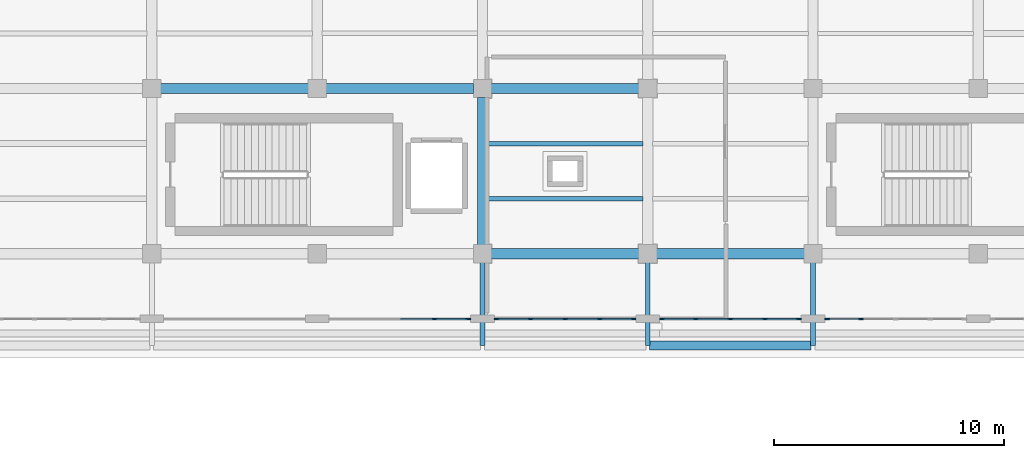
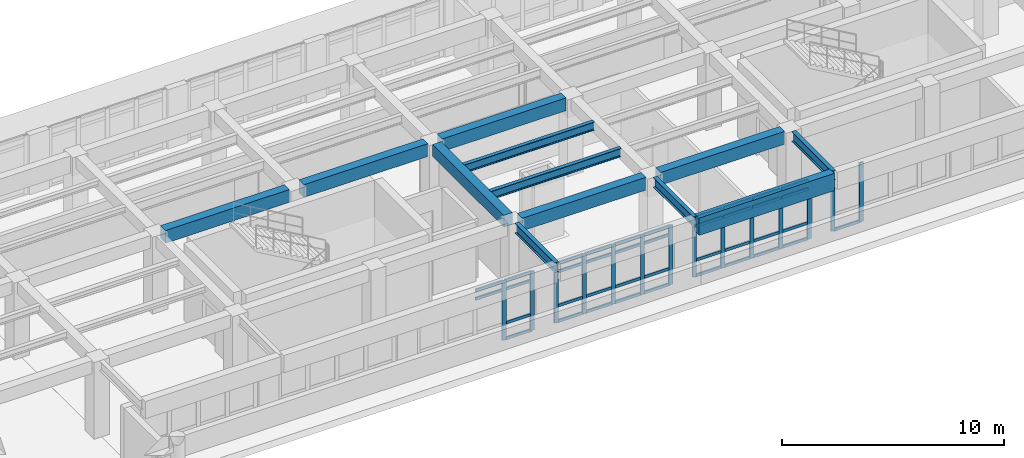
# One storey, part 6 of 67: 53 members, 12 beams, 4 elements without a shape of their own.
"""IFC4 building model written with IfcOpenShell, lengths in metres."""

from ifc_helpers import new_model, si_unit, direction, frame, origin, origin_2d, place, context, subcontext, project, spatial, rectangle, i_section, extrude, material, layer, layer_set, material_profile, profile_set, type_object, element, aggregate, save


model = new_model("IFC4")

# Units and contexts
model_context = context("Model", 3, precision=1e-05, world=origin(), true_north=direction((0.0, 1.0)))
body_context = subcontext(model_context, "Body", "Model", "MODEL_VIEW")
ifc_project = project(units=[si_unit("LENGTHUNIT", "METRE"), si_unit("AREAUNIT", "SQUARE_METRE"), si_unit("VOLUMEUNIT", "CUBIC_METRE"), si_unit("PLANEANGLEUNIT", "RADIAN"), si_unit("MASSUNIT", "GRAM", prefix="KILO")], contexts=[model_context])

# Site, building, storey
site_placement = place(None, origin())
site = spatial("IfcSite", under=ifc_project, at=site_placement, CompositionType="ELEMENT")
building_placement = place(site_placement, origin())
building = spatial("IfcBuilding", under=site, at=building_placement, Name="Solenvale Faculty of Natural Sciences", CompositionType="ELEMENT")
storey_placement = place(building_placement, frame((0.0, 0.0, 13.5)))
storey = spatial("IfcBuildingStorey", under=building, at=storey_placement, Name="L03", CompositionType="ELEMENT", Elevation=13.5)

# Beams
ifc_material_1 = material(Name="Concrete 40 MPa", Category="concrete")
ifc_material_profile_1 = material_profile(ifc_material_1, rectangle(XDim=0.449951171875, YDim=0.64990234375, at=origin_2d()), Name="RC-BM-450x650")
ifc_profile_set_1 = profile_set([ifc_material_profile_1], Name="Concrete 40 MPa")
beam_type_1 = type_object("IfcBeamType", Name="BM-RC-450x650", PredefinedType="BEAM", material=ifc_profile_set_1)
beam_1_placement = place(storey_placement, frame((79.199951171875, 21.97998046875, 3.89501953125), z_axis=(0.0, 1.0, 0.0), x_axis=(-1.0, 0.0, 0.0)))
element("IfcBeam", 1, at=beam_1_placement, inside=storey, type_object=beam_type_1, Name="L03 Y-Girder X79.2 (21.6..28.8)", PredefinedType="BEAM", context=body_context, shape_type="SweptSolid", body=[
    extrude(rectangle(XDim=0.449951171875, YDim=0.64990234375, at=origin_2d()), origin(), (0.0, 0.0, 1.0), 6.43994140625),
])
ifc_material_profile_2 = material_profile(ifc_material_1, rectangle(XDim=0.449951171875, YDim=0.699951171875, at=origin_2d()), Name="RC-BM-450x700")
ifc_profile_set_2 = profile_set([ifc_material_profile_2], Name="Concrete 40 MPa")
beam_type_2 = type_object("IfcBeamType", Name="BM-RC-450x700", PredefinedType="BEAM", material=ifc_profile_set_2)
for number, where, z_axis, x_axis, name in (
    (2, (79.580078125, 21.60009765625, 3.8701171875), (1.0, 0.0, 0.0), (0.0, 1.0, 0.0), "L03 X-Girder Y21.6 (79.2..86.4)"),
    (3, (86.780029296875, 21.60009765625, 3.8701171875), (1.0, 0.0, 0.0), (0.0, 1.0, 0.0), "L03 X-Girder Y21.6 (86.4..93.6)"),
):
    element("IfcBeam", number, at=place(storey_placement, frame(where, z_axis=z_axis, x_axis=x_axis)), inside=storey, type_object=beam_type_2, Name=name, PredefinedType="BEAM", context=body_context, shape_type="SweptSolid", body=[
        extrude(rectangle(XDim=0.449951171875, YDim=0.699951171875, at=origin_2d()), origin(), (0.0, 0.0, 1.0), 6.43994140625),
    ])
for number, where, z_axis, x_axis, name in (
    (4, (65.179931640625, 28.800048828125, 3.8701171875), (1.0, 0.0, 0.0), (0.0, 1.0, 0.0), "L03 X-Girder Y28.8 (64.8..72.0)"),
    (5, (72.3798828125, 28.800048828125, 3.8701171875), (1.0, 0.0, 0.0), (0.0, 1.0, 0.0), "L03 X-Girder Y28.8 (72.0..79.2)"),
):
    element("IfcBeam", number, at=place(storey_placement, frame(where, z_axis=z_axis, x_axis=x_axis)), inside=storey, type_object=beam_type_2, Name=name, PredefinedType="BEAM", context=body_context, shape_type="SweptSolid", body=[
        extrude(rectangle(XDim=0.449951171875, YDim=0.699951171875, at=origin_2d()), origin(), (0.0, 0.0, 1.0), 6.440185546875),
    ])
beam_2_placement = place(storey_placement, frame((79.580078125, 28.800048828125, 3.8701171875), z_axis=(1.0, 0.0, 0.0), x_axis=(0.0, 1.0, 0.0)))
element("IfcBeam", 6, at=beam_2_placement, inside=storey, type_object=beam_type_2, Name="L03 X-Girder Y28.8 (79.2..86.4)", PredefinedType="BEAM", context=body_context, shape_type="SweptSolid", body=[
    extrude(rectangle(XDim=0.449951171875, YDim=0.699951171875, at=origin_2d()), origin(), (0.0, 0.0, 1.0), 6.43994140625),
])
ifc_material_2 = material(Name="Architectural bronze concrete 40 MPa", Category="concrete")
ifc_material_profile_3 = material_profile(ifc_material_2, rectangle(XDim=0.39990234375, YDim=0.949951171875, at=origin_2d()), Name="RC-SPN-400x950")
ifc_profile_set_3 = profile_set([ifc_material_profile_3], Name="Architectural bronze concrete 40 MPa")
beam_type_3 = type_object("IfcBeamType", Name="BM-SPN-BRZ-950", PredefinedType="SPANDREL", material=ifc_profile_set_3)
beam_3_placement = place(storey_placement, frame((86.47998046875, 17.60009765625, 3.7451171875), z_axis=(1.0, 0.0, 0.0), x_axis=(0.0, 1.0, 0.0)))
element("IfcBeam", 7, at=beam_3_placement, inside=storey, type_object=beam_type_3, Name="L04 Sliding-Tray South Bronze Fascia 4", PredefinedType="SPANDREL", context=body_context, shape_type="SweptSolid", body=[
    extrude(rectangle(XDim=0.39990234375, YDim=0.949951171875, at=origin_2d()), origin(), (0.0, 0.0, 1.0), 7.0400390625),
])
ifc_material_3 = material(Name="Steel S355", Category="steel")
ifc_material_profile_4 = material_profile(ifc_material_3, i_section(OverallWidth=0.194091796875, OverallDepth=0.468994140625, WebThickness=0.0126953125, FlangeThickness=0.0205078125, FilletRadius=0.01806640625, at=origin_2d()), Name="W460x106")
ifc_profile_set_4 = profile_set([ifc_material_profile_4], Name="Steel S355")
beam_type_4 = type_object("IfcBeamType", Name="BM-STL-W460x106", PredefinedType="JOIST", material=ifc_profile_set_4)
for number, where, z_axis, x_axis, name in (
    (8, (79.405029296875, 24.0, 3.985595703125), (1.0, 0.0, 0.0), (0.0, 1.0, 0.0), "L03 Composite Floor Joist (12,4).1"),
    (9, (79.405029296875, 26.39990234375, 3.985595703125), (1.0, 0.0, 0.0), (0.0, 1.0, 0.0), "L03 Composite Floor Joist (12,4).2"),
):
    element("IfcBeam", number, at=place(storey_placement, frame(where, z_axis=z_axis, x_axis=x_axis)), inside=storey, type_object=beam_type_4, Name=name, PredefinedType="JOIST", context=body_context, shape_type="SweptSolid", body=[
        extrude(i_section(OverallWidth=0.194091796875, OverallDepth=0.468994140625, WebThickness=0.0126953125, FlangeThickness=0.0205078125, FilletRadius=0.01806640625, at=origin_2d()), origin(), (0.0, 0.0, 1.0), 6.7900390625),
    ])
ifc_material_profile_5 = material_profile(ifc_material_3, i_section(OverallWidth=0.2119140625, OverallDepth=0.5439453125, WebThickness=0.01318359375, FlangeThickness=0.021240234375, FilletRadius=0.01904296875, at=origin_2d()), Name="W530x123")
ifc_profile_set_5 = profile_set([ifc_material_profile_5], Name="Steel S355")
beam_type_5 = type_object("IfcBeamType", Name="BM-STL-W530x123", PredefinedType="BEAM", material=ifc_profile_set_5)
for number, where, z_axis, x_axis, name in (
    (10, (79.199951171875, 21.219970703125, 3.947998046875), (0.0, -1.0, 0.0), (1.0, 0.0, 0.0), "L03 V4 Cantilever Tray Girder X79.2"),
    (11, (86.39990234375, 21.219970703125, 3.947998046875), (0.0, -1.0, 0.0), (1.0, 0.0, 0.0), "L03 V4 Cantilever Tray Girder X86.4"),
    (12, (93.60009765625, 21.219970703125, 3.947998046875), (0.0, -1.0, 0.0), (1.0, 0.0, 0.0), "L03 V4 Cantilever Tray Girder X93.6"),
):
    element("IfcBeam", number, at=place(storey_placement, frame(where, z_axis=z_axis, x_axis=x_axis)), inside=storey, type_object=beam_type_5, Name=name, PredefinedType="BEAM", context=body_context, shape_type="SweptSolid", body=[
        extrude(i_section(OverallWidth=0.2119140625, OverallDepth=0.5439453125, WebThickness=0.01318359375, FlangeThickness=0.021240234375, FilletRadius=0.01904296875, at=origin_2d()), origin(), (0.0, 0.0, 1.0), 3.619873046875),
    ])

# Curtain wall, members
ifc_material_4 = material(Name="Anodised bronze aluminium", Category="aluminium")
ifc_layer = layer(ifc_material_4, 0.18994140625)
ifc_layer_set = layer_set([ifc_layer], Name="Anodised bronze aluminium")
curtain_wall_type = type_object("IfcCurtainWallType", Name="CW-TRAY-REC", PredefinedType="USERDEFINED", material=ifc_layer_set)
curtain_wall_1_placement = place(storey_placement, origin())
curtain_wall_1 = element("IfcCurtainWall", 13, at=curtain_wall_1_placement, inside=storey, type_object=curtain_wall_type, Name="L03 Curtain Wall CW-L03-P1-E6-B3", ObjectType="UNITISED CURTAIN WALL", PredefinedType="USERDEFINED")
ifc_material_profile_6 = material_profile(ifc_material_4, rectangle(XDim=0.074951171875, YDim=0.2099609375, at=origin_2d()), Name="ALU-MUL-75x210")
ifc_profile_set_6 = profile_set([ifc_material_profile_6], Name="Anodised bronze aluminium")
member_type_1 = type_object("IfcMemberType", Name="CWM-ALU-75x210", PredefinedType="MULLION", material=ifc_profile_set_6)
member_1_placement = place(storey_placement, frame((77.110107421875, 18.762451171875, 0.0), z_axis=(0.0, 0.0, 1.0), x_axis=(0.0, 1.0, 0.0)))
member_1 = element("IfcMember", 14, at=member_1_placement, type_object=member_type_1, Name="CW-02 mullion 4", PredefinedType="MULLION", context=body_context, shape_type="SweptSolid", body=[
    extrude(rectangle(XDim=0.074951171875, YDim=0.2099609375, at=origin_2d()), origin(), (0.0, 0.0, 1.0), 3.260009765625),
])
member_2_placement = place(storey_placement, frame((78.58251953125, 18.762451171875, 0.0), z_axis=(0.0, 0.0, 1.0), x_axis=(0.0, 1.0, 0.0)))
member_2 = element("IfcMember", 15, at=member_2_placement, type_object=member_type_1, Name="CW-02 mullion 5", PredefinedType="MULLION", context=body_context, shape_type="SweptSolid", body=[
    extrude(rectangle(XDim=0.074951171875, YDim=0.2099609375, at=origin_2d()), origin(), (0.0, 0.0, 1.0), 3.260009765625),
])

curtain_wall_2_placement = place(storey_placement, origin())
curtain_wall_2 = element("IfcCurtainWall", 16, at=curtain_wall_2_placement, inside=storey, type_object=curtain_wall_type, Name="L03 Curtain Wall CW-L03-P1-E6-B4", ObjectType="UNITISED CURTAIN WALL", PredefinedType="USERDEFINED")
member_3_placement = place(storey_placement, frame((79.8173828125, 18.762451171875, 0.0), z_axis=(0.0, 0.0, 1.0), x_axis=(0.0, 1.0, 0.0)))
member_3 = element("IfcMember", 17, at=member_3_placement, type_object=member_type_1, Name="CW-02 mullion 1", PredefinedType="MULLION", context=body_context, shape_type="SweptSolid", body=[
    extrude(rectangle(XDim=0.074951171875, YDim=0.2099609375, at=origin_2d()), origin(), (0.0, 0.0, 1.0), 3.260009765625),
])
member_4_placement = place(storey_placement, frame((81.2900390625, 18.762451171875, 0.0), z_axis=(0.0, 0.0, 1.0), x_axis=(0.0, 1.0, 0.0)))
member_4 = element("IfcMember", 18, at=member_4_placement, type_object=member_type_1, Name="CW-02 mullion 2", PredefinedType="MULLION", context=body_context, shape_type="SweptSolid", body=[
    extrude(rectangle(XDim=0.074951171875, YDim=0.2099609375, at=origin_2d()), origin(), (0.0, 0.0, 1.0), 3.260009765625),
])
member_5_placement = place(storey_placement, frame((82.800048828125, 18.762451171875, 0.0), z_axis=(0.0, 0.0, 1.0), x_axis=(0.0, 1.0, 0.0)))
member_5 = element("IfcMember", 19, at=member_5_placement, type_object=member_type_1, Name="CW-02 mullion 3", PredefinedType="MULLION", context=body_context, shape_type="SweptSolid", body=[
    extrude(rectangle(XDim=0.074951171875, YDim=0.2099609375, at=origin_2d()), origin(), (0.0, 0.0, 1.0), 3.260009765625),
])
member_6_placement = place(storey_placement, frame((84.31005859375, 18.762451171875, 0.0), z_axis=(0.0, 0.0, 1.0), x_axis=(0.0, 1.0, 0.0)))
member_6 = element("IfcMember", 20, at=member_6_placement, type_object=member_type_1, Name="CW-02 mullion 4", PredefinedType="MULLION", context=body_context, shape_type="SweptSolid", body=[
    extrude(rectangle(XDim=0.074951171875, YDim=0.2099609375, at=origin_2d()), origin(), (0.0, 0.0, 1.0), 3.260009765625),
])
member_7_placement = place(storey_placement, frame((85.782470703125, 18.762451171875, 0.0), z_axis=(0.0, 0.0, 1.0), x_axis=(0.0, 1.0, 0.0)))
member_7 = element("IfcMember", 21, at=member_7_placement, type_object=member_type_1, Name="CW-02 mullion 5", PredefinedType="MULLION", context=body_context, shape_type="SweptSolid", body=[
    extrude(rectangle(XDim=0.074951171875, YDim=0.2099609375, at=origin_2d()), origin(), (0.0, 0.0, 1.0), 3.260009765625),
])

curtain_wall_3_placement = place(storey_placement, origin())
curtain_wall_3 = element("IfcCurtainWall", 22, at=curtain_wall_3_placement, inside=storey, type_object=curtain_wall_type, Name="L03 Curtain Wall CW-L03-P1-E6-B5", ObjectType="UNITISED CURTAIN WALL", PredefinedType="USERDEFINED")
member_8_placement = place(storey_placement, frame((87.017578125, 18.762451171875, 0.0), z_axis=(0.0, 0.0, 1.0), x_axis=(0.0, 1.0, 0.0)))
member_8 = element("IfcMember", 23, at=member_8_placement, type_object=member_type_1, Name="CW-02 mullion 1", PredefinedType="MULLION", context=body_context, shape_type="SweptSolid", body=[
    extrude(rectangle(XDim=0.074951171875, YDim=0.2099609375, at=origin_2d()), origin(), (0.0, 0.0, 1.0), 3.260009765625),
])
member_9_placement = place(storey_placement, frame((88.489990234375, 18.762451171875, 0.0), z_axis=(0.0, 0.0, 1.0), x_axis=(0.0, 1.0, 0.0)))
member_9 = element("IfcMember", 24, at=member_9_placement, type_object=member_type_1, Name="CW-02 mullion 2", PredefinedType="MULLION", context=body_context, shape_type="SweptSolid", body=[
    extrude(rectangle(XDim=0.074951171875, YDim=0.2099609375, at=origin_2d()), origin(), (0.0, 0.0, 1.0), 3.260009765625),
])
member_10_placement = place(storey_placement, frame((90.0, 18.762451171875, 0.0), z_axis=(0.0, 0.0, 1.0), x_axis=(0.0, 1.0, 0.0)))
member_10 = element("IfcMember", 25, at=member_10_placement, type_object=member_type_1, Name="CW-02 mullion 3", PredefinedType="MULLION", context=body_context, shape_type="SweptSolid", body=[
    extrude(rectangle(XDim=0.074951171875, YDim=0.2099609375, at=origin_2d()), origin(), (0.0, 0.0, 1.0), 3.260009765625),
])
member_11_placement = place(storey_placement, frame((91.510009765625, 18.762451171875, 0.0), z_axis=(0.0, 0.0, 1.0), x_axis=(0.0, 1.0, 0.0)))
member_11 = element("IfcMember", 26, at=member_11_placement, type_object=member_type_1, Name="CW-02 mullion 4", PredefinedType="MULLION", context=body_context, shape_type="SweptSolid", body=[
    extrude(rectangle(XDim=0.074951171875, YDim=0.2099609375, at=origin_2d()), origin(), (0.0, 0.0, 1.0), 3.260009765625),
])
member_12_placement = place(storey_placement, frame((92.982421875, 18.762451171875, 0.0), z_axis=(0.0, 0.0, 1.0), x_axis=(0.0, 1.0, 0.0)))
member_12 = element("IfcMember", 27, at=member_12_placement, type_object=member_type_1, Name="CW-02 mullion 5", PredefinedType="MULLION", context=body_context, shape_type="SweptSolid", body=[
    extrude(rectangle(XDim=0.074951171875, YDim=0.2099609375, at=origin_2d()), origin(), (0.0, 0.0, 1.0), 3.260009765625),
])

curtain_wall_4_placement = place(storey_placement, origin())
curtain_wall_4 = element("IfcCurtainWall", 28, at=curtain_wall_4_placement, inside=storey, type_object=curtain_wall_type, Name="L03 Curtain Wall CW-L03-P1-E6-B6", ObjectType="UNITISED CURTAIN WALL", PredefinedType="USERDEFINED")
member_13_placement = place(storey_placement, frame((94.217529296875, 18.762451171875, 0.0), z_axis=(0.0, 0.0, 1.0), x_axis=(0.0, 1.0, 0.0)))
member_13 = element("IfcMember", 29, at=member_13_placement, type_object=member_type_1, Name="CW-02 mullion 1", PredefinedType="MULLION", context=body_context, shape_type="SweptSolid", body=[
    extrude(rectangle(XDim=0.074951171875, YDim=0.2099609375, at=origin_2d()), origin(), (0.0, 0.0, 1.0), 3.260009765625),
])
member_14_placement = place(storey_placement, frame((95.68994140625, 18.762451171875, 0.0), z_axis=(0.0, 0.0, 1.0), x_axis=(0.0, 1.0, 0.0)))
member_14 = element("IfcMember", 30, at=member_14_placement, type_object=member_type_1, Name="CW-02 mullion 2", PredefinedType="MULLION", context=body_context, shape_type="SweptSolid", body=[
    extrude(rectangle(XDim=0.074951171875, YDim=0.2099609375, at=origin_2d()), origin(), (0.0, 0.0, 1.0), 3.260009765625),
])

# Member
ifc_material_profile_7 = material_profile(ifc_material_4, rectangle(XDim=0.074951171875, YDim=0.155029296875, at=origin_2d()), Name="ALU-TRN-75x155")
ifc_profile_set_7 = profile_set([ifc_material_profile_7], Name="Anodised bronze aluminium")
member_type_2 = type_object("IfcMemberType", Name="CWT-ALU-75x155", PredefinedType="USERDEFINED", material=ifc_profile_set_7)
member_15_placement = place(storey_placement, frame((75.637451171875, 18.762451171875, 2.760009765625), z_axis=(1.0, 0.0, 0.0), x_axis=(0.0, 1.0, 0.0)))
member_15 = element("IfcMember", 31, at=member_15_placement, type_object=member_type_2, Name="CW-02 transom 3.3", ObjectType="TRANSOM", PredefinedType="USERDEFINED", context=body_context, shape_type="SweptSolid", body=[
    extrude(rectangle(XDim=0.074951171875, YDim=0.155029296875, at=origin_2d()), origin(), (0.0, 0.0, 1.0), 1.43505859375),
])

member_16_placement = place(storey_placement, frame((75.637451171875, 18.762451171875, 3.222412109375), z_axis=(1.0, 0.0, 0.0), x_axis=(0.0, 1.0, 0.0)))
member_16 = element("IfcMember", 32, at=member_16_placement, type_object=member_type_2, Name="CW-02 transom 3.4", ObjectType="TRANSOM", PredefinedType="USERDEFINED", context=body_context, shape_type="SweptSolid", body=[
    extrude(rectangle(XDim=0.074951171875, YDim=0.155029296875, at=origin_2d()), origin(), (0.0, 0.0, 1.0), 1.43505859375),
])

member_17_placement = place(storey_placement, frame((77.1474609375, 18.762451171875, 0.03759765625), z_axis=(1.0, 0.0, 0.0), x_axis=(0.0, 1.0, 0.0)))
member_17 = element("IfcMember", 33, at=member_17_placement, type_object=member_type_2, Name="CW-02 transom 4.1", ObjectType="TRANSOM", PredefinedType="USERDEFINED", context=body_context, shape_type="SweptSolid", body=[
    extrude(rectangle(XDim=0.074951171875, YDim=0.155029296875, at=origin_2d()), origin(), (0.0, 0.0, 1.0), 1.3974609375),
])

member_18_placement = place(storey_placement, frame((77.1474609375, 18.762451171875, 0.89990234375), z_axis=(1.0, 0.0, 0.0), x_axis=(0.0, 1.0, 0.0)))
member_18 = element("IfcMember", 34, at=member_18_placement, type_object=member_type_2, Name="CW-02 transom 4.2", ObjectType="TRANSOM", PredefinedType="USERDEFINED", context=body_context, shape_type="SweptSolid", body=[
    extrude(rectangle(XDim=0.074951171875, YDim=0.155029296875, at=origin_2d()), origin(), (0.0, 0.0, 1.0), 1.3974609375),
])

member_19_placement = place(storey_placement, frame((77.1474609375, 18.762451171875, 2.760009765625), z_axis=(1.0, 0.0, 0.0), x_axis=(0.0, 1.0, 0.0)))
member_19 = element("IfcMember", 35, at=member_19_placement, type_object=member_type_2, Name="CW-02 transom 4.3", ObjectType="TRANSOM", PredefinedType="USERDEFINED", context=body_context, shape_type="SweptSolid", body=[
    extrude(rectangle(XDim=0.074951171875, YDim=0.155029296875, at=origin_2d()), origin(), (0.0, 0.0, 1.0), 1.3974609375),
])

member_20_placement = place(storey_placement, frame((77.1474609375, 18.762451171875, 3.222412109375), z_axis=(1.0, 0.0, 0.0), x_axis=(0.0, 1.0, 0.0)))
member_20 = element("IfcMember", 36, at=member_20_placement, type_object=member_type_2, Name="CW-02 transom 4.4", ObjectType="TRANSOM", PredefinedType="USERDEFINED", context=body_context, shape_type="SweptSolid", body=[
    extrude(rectangle(XDim=0.074951171875, YDim=0.155029296875, at=origin_2d()), origin(), (0.0, 0.0, 1.0), 1.3974609375),
])

aggregate(curtain_wall_1, [member_1, member_2, member_15, member_16, member_17, member_18, member_19, member_20])

member_21_placement = place(storey_placement, frame((79.85498046875, 18.762451171875, 0.03759765625), z_axis=(1.0, 0.0, 0.0), x_axis=(0.0, 1.0, 0.0)))
member_21 = element("IfcMember", 37, at=member_21_placement, type_object=member_type_2, Name="CW-02 transom 1.1", ObjectType="TRANSOM", PredefinedType="USERDEFINED", context=body_context, shape_type="SweptSolid", body=[
    extrude(rectangle(XDim=0.074951171875, YDim=0.155029296875, at=origin_2d()), origin(), (0.0, 0.0, 1.0), 1.3974609375),
])

member_22_placement = place(storey_placement, frame((79.85498046875, 18.762451171875, 0.89990234375), z_axis=(1.0, 0.0, 0.0), x_axis=(0.0, 1.0, 0.0)))
member_22 = element("IfcMember", 38, at=member_22_placement, type_object=member_type_2, Name="CW-02 transom 1.2", ObjectType="TRANSOM", PredefinedType="USERDEFINED", context=body_context, shape_type="SweptSolid", body=[
    extrude(rectangle(XDim=0.074951171875, YDim=0.155029296875, at=origin_2d()), origin(), (0.0, 0.0, 1.0), 1.3974609375),
])

member_23_placement = place(storey_placement, frame((79.85498046875, 18.762451171875, 2.760009765625), z_axis=(1.0, 0.0, 0.0), x_axis=(0.0, 1.0, 0.0)))
member_23 = element("IfcMember", 39, at=member_23_placement, type_object=member_type_2, Name="CW-02 transom 1.3", ObjectType="TRANSOM", PredefinedType="USERDEFINED", context=body_context, shape_type="SweptSolid", body=[
    extrude(rectangle(XDim=0.074951171875, YDim=0.155029296875, at=origin_2d()), origin(), (0.0, 0.0, 1.0), 1.3974609375),
])

member_24_placement = place(storey_placement, frame((79.85498046875, 18.762451171875, 3.222412109375), z_axis=(1.0, 0.0, 0.0), x_axis=(0.0, 1.0, 0.0)))
member_24 = element("IfcMember", 40, at=member_24_placement, type_object=member_type_2, Name="CW-02 transom 1.4", ObjectType="TRANSOM", PredefinedType="USERDEFINED", context=body_context, shape_type="SweptSolid", body=[
    extrude(rectangle(XDim=0.074951171875, YDim=0.155029296875, at=origin_2d()), origin(), (0.0, 0.0, 1.0), 1.3974609375),
])

member_25_placement = place(storey_placement, frame((81.327392578125, 18.762451171875, 0.03759765625), z_axis=(1.0, 0.0, 0.0), x_axis=(0.0, 1.0, 0.0)))
member_25 = element("IfcMember", 41, at=member_25_placement, type_object=member_type_2, Name="CW-02 transom 2.1", ObjectType="TRANSOM", PredefinedType="USERDEFINED", context=body_context, shape_type="SweptSolid", body=[
    extrude(rectangle(XDim=0.074951171875, YDim=0.155029296875, at=origin_2d()), origin(), (0.0, 0.0, 1.0), 1.43505859375),
])

member_26_placement = place(storey_placement, frame((81.327392578125, 18.762451171875, 0.89990234375), z_axis=(1.0, 0.0, 0.0), x_axis=(0.0, 1.0, 0.0)))
member_26 = element("IfcMember", 42, at=member_26_placement, type_object=member_type_2, Name="CW-02 transom 2.2", ObjectType="TRANSOM", PredefinedType="USERDEFINED", context=body_context, shape_type="SweptSolid", body=[
    extrude(rectangle(XDim=0.074951171875, YDim=0.155029296875, at=origin_2d()), origin(), (0.0, 0.0, 1.0), 1.43505859375),
])

member_27_placement = place(storey_placement, frame((81.327392578125, 18.762451171875, 2.760009765625), z_axis=(1.0, 0.0, 0.0), x_axis=(0.0, 1.0, 0.0)))
member_27 = element("IfcMember", 43, at=member_27_placement, type_object=member_type_2, Name="CW-02 transom 2.3", ObjectType="TRANSOM", PredefinedType="USERDEFINED", context=body_context, shape_type="SweptSolid", body=[
    extrude(rectangle(XDim=0.074951171875, YDim=0.155029296875, at=origin_2d()), origin(), (0.0, 0.0, 1.0), 1.43505859375),
])

member_28_placement = place(storey_placement, frame((81.327392578125, 18.762451171875, 3.222412109375), z_axis=(1.0, 0.0, 0.0), x_axis=(0.0, 1.0, 0.0)))
member_28 = element("IfcMember", 44, at=member_28_placement, type_object=member_type_2, Name="CW-02 transom 2.4", ObjectType="TRANSOM", PredefinedType="USERDEFINED", context=body_context, shape_type="SweptSolid", body=[
    extrude(rectangle(XDim=0.074951171875, YDim=0.155029296875, at=origin_2d()), origin(), (0.0, 0.0, 1.0), 1.43505859375),
])

member_29_placement = place(storey_placement, frame((82.83740234375, 18.762451171875, 0.03759765625), z_axis=(1.0, 0.0, 0.0), x_axis=(0.0, 1.0, 0.0)))
member_29 = element("IfcMember", 45, at=member_29_placement, type_object=member_type_2, Name="CW-02 transom 3.1", ObjectType="TRANSOM", PredefinedType="USERDEFINED", context=body_context, shape_type="SweptSolid", body=[
    extrude(rectangle(XDim=0.074951171875, YDim=0.155029296875, at=origin_2d()), origin(), (0.0, 0.0, 1.0), 1.43505859375),
])

member_30_placement = place(storey_placement, frame((82.83740234375, 18.762451171875, 0.89990234375), z_axis=(1.0, 0.0, 0.0), x_axis=(0.0, 1.0, 0.0)))
member_30 = element("IfcMember", 46, at=member_30_placement, type_object=member_type_2, Name="CW-02 transom 3.2", ObjectType="TRANSOM", PredefinedType="USERDEFINED", context=body_context, shape_type="SweptSolid", body=[
    extrude(rectangle(XDim=0.074951171875, YDim=0.155029296875, at=origin_2d()), origin(), (0.0, 0.0, 1.0), 1.43505859375),
])

member_31_placement = place(storey_placement, frame((82.83740234375, 18.762451171875, 2.760009765625), z_axis=(1.0, 0.0, 0.0), x_axis=(0.0, 1.0, 0.0)))
member_31 = element("IfcMember", 47, at=member_31_placement, type_object=member_type_2, Name="CW-02 transom 3.3", ObjectType="TRANSOM", PredefinedType="USERDEFINED", context=body_context, shape_type="SweptSolid", body=[
    extrude(rectangle(XDim=0.074951171875, YDim=0.155029296875, at=origin_2d()), origin(), (0.0, 0.0, 1.0), 1.43505859375),
])

member_32_placement = place(storey_placement, frame((82.83740234375, 18.762451171875, 3.222412109375), z_axis=(1.0, 0.0, 0.0), x_axis=(0.0, 1.0, 0.0)))
member_32 = element("IfcMember", 48, at=member_32_placement, type_object=member_type_2, Name="CW-02 transom 3.4", ObjectType="TRANSOM", PredefinedType="USERDEFINED", context=body_context, shape_type="SweptSolid", body=[
    extrude(rectangle(XDim=0.074951171875, YDim=0.155029296875, at=origin_2d()), origin(), (0.0, 0.0, 1.0), 1.43505859375),
])

member_33_placement = place(storey_placement, frame((84.347412109375, 18.762451171875, 0.03759765625), z_axis=(1.0, 0.0, 0.0), x_axis=(0.0, 1.0, 0.0)))
member_33 = element("IfcMember", 49, at=member_33_placement, type_object=member_type_2, Name="CW-02 transom 4.1", ObjectType="TRANSOM", PredefinedType="USERDEFINED", context=body_context, shape_type="SweptSolid", body=[
    extrude(rectangle(XDim=0.074951171875, YDim=0.155029296875, at=origin_2d()), origin(), (0.0, 0.0, 1.0), 1.397705078125),
])

member_34_placement = place(storey_placement, frame((84.347412109375, 18.762451171875, 0.89990234375), z_axis=(1.0, 0.0, 0.0), x_axis=(0.0, 1.0, 0.0)))
member_34 = element("IfcMember", 50, at=member_34_placement, type_object=member_type_2, Name="CW-02 transom 4.2", ObjectType="TRANSOM", PredefinedType="USERDEFINED", context=body_context, shape_type="SweptSolid", body=[
    extrude(rectangle(XDim=0.074951171875, YDim=0.155029296875, at=origin_2d()), origin(), (0.0, 0.0, 1.0), 1.397705078125),
])

member_35_placement = place(storey_placement, frame((84.347412109375, 18.762451171875, 2.760009765625), z_axis=(1.0, 0.0, 0.0), x_axis=(0.0, 1.0, 0.0)))
member_35 = element("IfcMember", 51, at=member_35_placement, type_object=member_type_2, Name="CW-02 transom 4.3", ObjectType="TRANSOM", PredefinedType="USERDEFINED", context=body_context, shape_type="SweptSolid", body=[
    extrude(rectangle(XDim=0.074951171875, YDim=0.155029296875, at=origin_2d()), origin(), (0.0, 0.0, 1.0), 1.397705078125),
])

member_36_placement = place(storey_placement, frame((84.347412109375, 18.762451171875, 3.222412109375), z_axis=(1.0, 0.0, 0.0), x_axis=(0.0, 1.0, 0.0)))
member_36 = element("IfcMember", 52, at=member_36_placement, type_object=member_type_2, Name="CW-02 transom 4.4", ObjectType="TRANSOM", PredefinedType="USERDEFINED", context=body_context, shape_type="SweptSolid", body=[
    extrude(rectangle(XDim=0.074951171875, YDim=0.155029296875, at=origin_2d()), origin(), (0.0, 0.0, 1.0), 1.397705078125),
])

aggregate(curtain_wall_2, [member_3, member_4, member_5, member_6, member_7, member_21, member_22, member_23, member_24, member_25, member_26, member_27, member_28, member_29, member_30, member_31, member_32, member_33, member_34, member_35, member_36])

member_37_placement = place(storey_placement, frame((87.054931640625, 18.762451171875, 0.03759765625), z_axis=(1.0, 0.0, 0.0), x_axis=(0.0, 1.0, 0.0)))
member_37 = element("IfcMember", 53, at=member_37_placement, type_object=member_type_2, Name="CW-02 transom 1.1", ObjectType="TRANSOM", PredefinedType="USERDEFINED", context=body_context, shape_type="SweptSolid", body=[
    extrude(rectangle(XDim=0.074951171875, YDim=0.155029296875, at=origin_2d()), origin(), (0.0, 0.0, 1.0), 1.3974609375),
])

member_38_placement = place(storey_placement, frame((87.054931640625, 18.762451171875, 0.89990234375), z_axis=(1.0, 0.0, 0.0), x_axis=(0.0, 1.0, 0.0)))
member_38 = element("IfcMember", 54, at=member_38_placement, type_object=member_type_2, Name="CW-02 transom 1.2", ObjectType="TRANSOM", PredefinedType="USERDEFINED", context=body_context, shape_type="SweptSolid", body=[
    extrude(rectangle(XDim=0.074951171875, YDim=0.155029296875, at=origin_2d()), origin(), (0.0, 0.0, 1.0), 1.3974609375),
])

member_39_placement = place(storey_placement, frame((87.054931640625, 18.762451171875, 2.760009765625), z_axis=(1.0, 0.0, 0.0), x_axis=(0.0, 1.0, 0.0)))
member_39 = element("IfcMember", 55, at=member_39_placement, type_object=member_type_2, Name="CW-02 transom 1.3", ObjectType="TRANSOM", PredefinedType="USERDEFINED", context=body_context, shape_type="SweptSolid", body=[
    extrude(rectangle(XDim=0.074951171875, YDim=0.155029296875, at=origin_2d()), origin(), (0.0, 0.0, 1.0), 1.3974609375),
])

member_40_placement = place(storey_placement, frame((87.054931640625, 18.762451171875, 3.222412109375), z_axis=(1.0, 0.0, 0.0), x_axis=(0.0, 1.0, 0.0)))
member_40 = element("IfcMember", 56, at=member_40_placement, type_object=member_type_2, Name="CW-02 transom 1.4", ObjectType="TRANSOM", PredefinedType="USERDEFINED", context=body_context, shape_type="SweptSolid", body=[
    extrude(rectangle(XDim=0.074951171875, YDim=0.155029296875, at=origin_2d()), origin(), (0.0, 0.0, 1.0), 1.3974609375),
])

member_41_placement = place(storey_placement, frame((88.527587890625, 18.762451171875, 0.03759765625), z_axis=(1.0, 0.0, 0.0), x_axis=(0.0, 1.0, 0.0)))
member_41 = element("IfcMember", 57, at=member_41_placement, type_object=member_type_2, Name="CW-02 transom 2.1", ObjectType="TRANSOM", PredefinedType="USERDEFINED", context=body_context, shape_type="SweptSolid", body=[
    extrude(rectangle(XDim=0.074951171875, YDim=0.155029296875, at=origin_2d()), origin(), (0.0, 0.0, 1.0), 1.434814453125),
])

member_42_placement = place(storey_placement, frame((88.527587890625, 18.762451171875, 0.89990234375), z_axis=(1.0, 0.0, 0.0), x_axis=(0.0, 1.0, 0.0)))
member_42 = element("IfcMember", 58, at=member_42_placement, type_object=member_type_2, Name="CW-02 transom 2.2", ObjectType="TRANSOM", PredefinedType="USERDEFINED", context=body_context, shape_type="SweptSolid", body=[
    extrude(rectangle(XDim=0.074951171875, YDim=0.155029296875, at=origin_2d()), origin(), (0.0, 0.0, 1.0), 1.434814453125),
])

member_43_placement = place(storey_placement, frame((88.527587890625, 18.762451171875, 2.760009765625), z_axis=(1.0, 0.0, 0.0), x_axis=(0.0, 1.0, 0.0)))
member_43 = element("IfcMember", 59, at=member_43_placement, type_object=member_type_2, Name="CW-02 transom 2.3", ObjectType="TRANSOM", PredefinedType="USERDEFINED", context=body_context, shape_type="SweptSolid", body=[
    extrude(rectangle(XDim=0.074951171875, YDim=0.155029296875, at=origin_2d()), origin(), (0.0, 0.0, 1.0), 1.434814453125),
])

member_44_placement = place(storey_placement, frame((88.527587890625, 18.762451171875, 3.222412109375), z_axis=(1.0, 0.0, 0.0), x_axis=(0.0, 1.0, 0.0)))
member_44 = element("IfcMember", 60, at=member_44_placement, type_object=member_type_2, Name="CW-02 transom 2.4", ObjectType="TRANSOM", PredefinedType="USERDEFINED", context=body_context, shape_type="SweptSolid", body=[
    extrude(rectangle(XDim=0.074951171875, YDim=0.155029296875, at=origin_2d()), origin(), (0.0, 0.0, 1.0), 1.434814453125),
])

member_45_placement = place(storey_placement, frame((90.03759765625, 18.762451171875, 0.03759765625), z_axis=(1.0, 0.0, 0.0), x_axis=(0.0, 1.0, 0.0)))
member_45 = element("IfcMember", 61, at=member_45_placement, type_object=member_type_2, Name="CW-02 transom 3.1", ObjectType="TRANSOM", PredefinedType="USERDEFINED", context=body_context, shape_type="SweptSolid", body=[
    extrude(rectangle(XDim=0.074951171875, YDim=0.155029296875, at=origin_2d()), origin(), (0.0, 0.0, 1.0), 1.434814453125),
])

member_46_placement = place(storey_placement, frame((90.03759765625, 18.762451171875, 0.89990234375), z_axis=(1.0, 0.0, 0.0), x_axis=(0.0, 1.0, 0.0)))
member_46 = element("IfcMember", 62, at=member_46_placement, type_object=member_type_2, Name="CW-02 transom 3.2", ObjectType="TRANSOM", PredefinedType="USERDEFINED", context=body_context, shape_type="SweptSolid", body=[
    extrude(rectangle(XDim=0.074951171875, YDim=0.155029296875, at=origin_2d()), origin(), (0.0, 0.0, 1.0), 1.434814453125),
])

member_47_placement = place(storey_placement, frame((90.03759765625, 18.762451171875, 2.760009765625), z_axis=(1.0, 0.0, 0.0), x_axis=(0.0, 1.0, 0.0)))
member_47 = element("IfcMember", 63, at=member_47_placement, type_object=member_type_2, Name="CW-02 transom 3.3", ObjectType="TRANSOM", PredefinedType="USERDEFINED", context=body_context, shape_type="SweptSolid", body=[
    extrude(rectangle(XDim=0.074951171875, YDim=0.155029296875, at=origin_2d()), origin(), (0.0, 0.0, 1.0), 1.434814453125),
])

member_48_placement = place(storey_placement, frame((90.03759765625, 18.762451171875, 3.222412109375), z_axis=(1.0, 0.0, 0.0), x_axis=(0.0, 1.0, 0.0)))
member_48 = element("IfcMember", 64, at=member_48_placement, type_object=member_type_2, Name="CW-02 transom 3.4", ObjectType="TRANSOM", PredefinedType="USERDEFINED", context=body_context, shape_type="SweptSolid", body=[
    extrude(rectangle(XDim=0.074951171875, YDim=0.155029296875, at=origin_2d()), origin(), (0.0, 0.0, 1.0), 1.434814453125),
])

member_49_placement = place(storey_placement, frame((91.547607421875, 18.762451171875, 0.03759765625), z_axis=(1.0, 0.0, 0.0), x_axis=(0.0, 1.0, 0.0)))
member_49 = element("IfcMember", 65, at=member_49_placement, type_object=member_type_2, Name="CW-02 transom 4.1", ObjectType="TRANSOM", PredefinedType="USERDEFINED", context=body_context, shape_type="SweptSolid", body=[
    extrude(rectangle(XDim=0.074951171875, YDim=0.155029296875, at=origin_2d()), origin(), (0.0, 0.0, 1.0), 1.3974609375),
])

member_50_placement = place(storey_placement, frame((91.547607421875, 18.762451171875, 0.89990234375), z_axis=(1.0, 0.0, 0.0), x_axis=(0.0, 1.0, 0.0)))
member_50 = element("IfcMember", 66, at=member_50_placement, type_object=member_type_2, Name="CW-02 transom 4.2", ObjectType="TRANSOM", PredefinedType="USERDEFINED", context=body_context, shape_type="SweptSolid", body=[
    extrude(rectangle(XDim=0.074951171875, YDim=0.155029296875, at=origin_2d()), origin(), (0.0, 0.0, 1.0), 1.3974609375),
])

member_51_placement = place(storey_placement, frame((91.547607421875, 18.762451171875, 2.760009765625), z_axis=(1.0, 0.0, 0.0), x_axis=(0.0, 1.0, 0.0)))
member_51 = element("IfcMember", 67, at=member_51_placement, type_object=member_type_2, Name="CW-02 transom 4.3", ObjectType="TRANSOM", PredefinedType="USERDEFINED", context=body_context, shape_type="SweptSolid", body=[
    extrude(rectangle(XDim=0.074951171875, YDim=0.155029296875, at=origin_2d()), origin(), (0.0, 0.0, 1.0), 1.3974609375),
])

member_52_placement = place(storey_placement, frame((91.547607421875, 18.762451171875, 3.222412109375), z_axis=(1.0, 0.0, 0.0), x_axis=(0.0, 1.0, 0.0)))
member_52 = element("IfcMember", 68, at=member_52_placement, type_object=member_type_2, Name="CW-02 transom 4.4", ObjectType="TRANSOM", PredefinedType="USERDEFINED", context=body_context, shape_type="SweptSolid", body=[
    extrude(rectangle(XDim=0.074951171875, YDim=0.155029296875, at=origin_2d()), origin(), (0.0, 0.0, 1.0), 1.3974609375),
])

aggregate(curtain_wall_3, [member_8, member_9, member_10, member_11, member_12, member_37, member_38, member_39, member_40, member_41, member_42, member_43, member_44, member_45, member_46, member_47, member_48, member_49, member_50, member_51, member_52])

member_53_placement = place(storey_placement, frame((94.2548828125, 18.762451171875, 0.03759765625), z_axis=(1.0, 0.0, 0.0), x_axis=(0.0, 1.0, 0.0)))
member_53 = element("IfcMember", 69, at=member_53_placement, type_object=member_type_2, Name="CW-02 transom 1.1", ObjectType="TRANSOM", PredefinedType="USERDEFINED", context=body_context, shape_type="SweptSolid", body=[
    extrude(rectangle(XDim=0.074951171875, YDim=0.155029296875, at=origin_2d()), origin(), (0.0, 0.0, 1.0), 1.397705078125),
])

aggregate(curtain_wall_4, [member_13, member_14, member_53])

save(model, "model.ifc")
